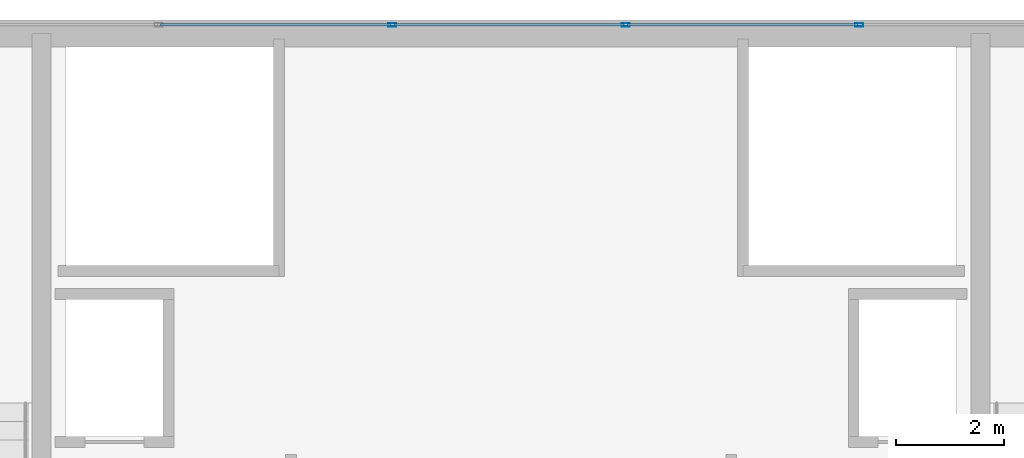
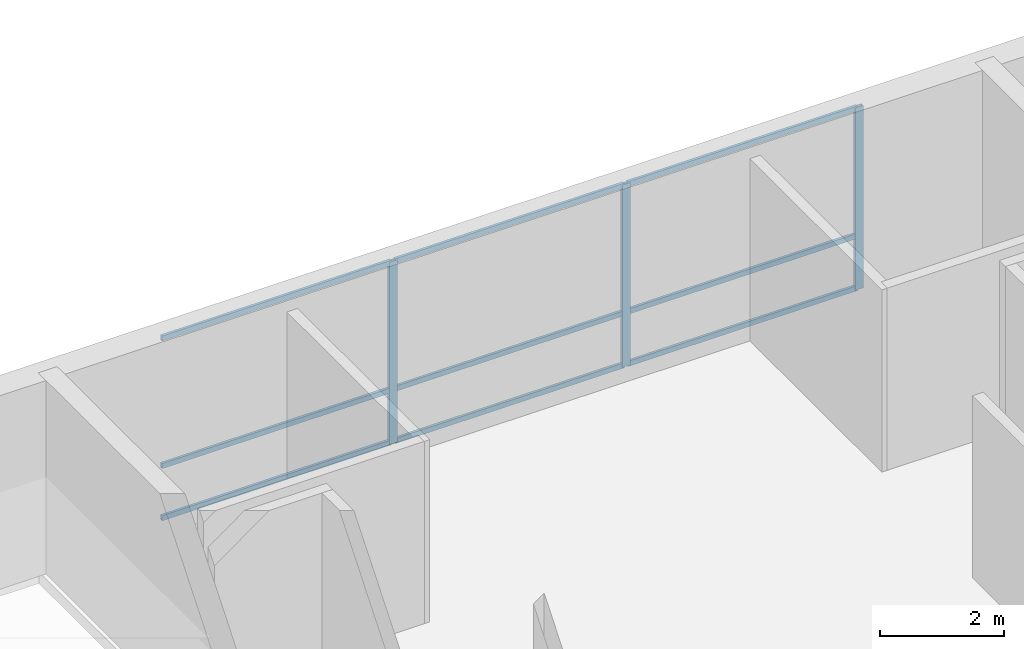
# One storey, part 27 of 36: 12 members, 1 element without a shape of its own.
"""IFC4 building model written with IfcOpenShell, lengths in metres."""

from ifc_helpers import new_model, si_unit, direction, frame, origin, origin_2d, place, context, subcontext, project, spatial, hollow_rectangle, extrude, source, transform, mapped, material, layer, layer_set, material_profile, profile_set, type_object, type_shapes, element, aggregate, save


model = new_model("IFC4")

# Units and contexts
model_context = context("Model", 3, precision=1e-05, world=origin(), true_north=direction((0.0, 1.0)))
body_context = subcontext(model_context, "Body", "Model", "MODEL_VIEW")
ifc_project = project(units=[si_unit("LENGTHUNIT", "METRE"), si_unit("AREAUNIT", "SQUARE_METRE"), si_unit("VOLUMEUNIT", "CUBIC_METRE"), si_unit("PLANEANGLEUNIT", "RADIAN"), si_unit("MASSUNIT", "GRAM", prefix="KILO")], contexts=[model_context])

# Site, building, storey
site_placement = place(None, origin())
site = spatial("IfcSite", under=ifc_project, at=site_placement, CompositionType="ELEMENT")
building_placement = place(site_placement, origin())
building = spatial("IfcBuilding", under=site, at=building_placement, Name="Tolvann Quenvar Hotel", CompositionType="ELEMENT")
storey_placement = place(building_placement, frame((0.0, 0.0, 302.35009765625)))
storey = spatial("IfcBuildingStorey", under=building, at=storey_placement, Name="L80", CompositionType="ELEMENT", Elevation=302.35009765625)

# Curtain wall, members
ifc_material_1 = material(Name="Thermally broken anodised architectural aluminium 6063-T6 and laminated low-E glass", Category="aluminium")
ifc_layer = layer(ifc_material_1, 0.179931640625)
ifc_layer_set = layer_set([ifc_layer], Name="Thermally broken anodised architectural aluminium 6063-T6 and laminated low-E glass")
curtain_wall_type = type_object("IfcCurtainWallType", Name="CW_SYS_LANT_06", PredefinedType="USERDEFINED", material=ifc_layer_set)
curtain_wall_placement = place(storey_placement, origin())
curtain_wall = element("IfcCurtainWall", 1, at=curtain_wall_placement, inside=storey, type_object=curtain_wall_type, Name="Curtain Wall CW-LANT-06 (CWR-L80-E14)", ObjectType="UNITISED CURTAIN WALL", PredefinedType="USERDEFINED")
ifc_material_2 = material(Name="Anodised architectural aluminium 6063-T6 framing", Category="aluminium")
ifc_material_profile_1 = material_profile(ifc_material_2, hollow_rectangle(XDim=0.050048828125, YDim=0.10009765625, WallThickness=0.0029296875, at=origin_2d()), Name="100x50x3RHS")
ifc_profile_set_1 = profile_set([ifc_material_profile_1], Name="Anodised architectural aluminium 6063-T6 framing")
member_type_1 = type_object("IfcMemberType", Name="CW_TRAN_100x50", PredefinedType="USERDEFINED", material=ifc_profile_set_1)
shared_shape_1 = source(origin(), body_context, "Body", "SweptSolid", [
    extrude(hollow_rectangle(XDim=0.050048828125, YDim=0.10009765625, WallThickness=0.0029296875, at=origin_2d()), origin(), (0.0, 0.0, 1.0), 4.2626953125),
])
member_1_placement = place(storey_placement, frame((25.09521484375, 44.110107421875, 0.02490234375), z_axis=(-1.0, 0.0, 0.0), x_axis=(0.0, -1.0, 0.0)))
member_1 = element("IfcMember", 2, at=member_1_placement, type_object=member_type_1, Name="CW-LANT-06 transom 3.1", ObjectType="TRANSOM", PredefinedType="USERDEFINED", context=body_context, shape_type="MappedRepresentation", body=[
    mapped(shared_shape_1, transform((0.0, 0.0, 0.0), x_axis=(1.0, 0.0, 0.0), y_axis=(0.0, 1.0, 0.0), z_axis=(0.0, 0.0, 1.0), scale=1.0)),
])
member_2_placement = place(storey_placement, frame((25.09521484375, 44.110107421875, 1.0498046875), z_axis=(-1.0, 0.0, 0.0), x_axis=(0.0, -1.0, 0.0)))
member_2 = element("IfcMember", 3, at=member_2_placement, type_object=member_type_1, Name="CW-LANT-06 transom 3.2", ObjectType="TRANSOM", PredefinedType="USERDEFINED", context=body_context, shape_type="MappedRepresentation", body=[
    mapped(shared_shape_1, transform((0.0, 0.0, 0.0), x_axis=(1.0, 0.0, 0.0), y_axis=(0.0, 1.0, 0.0), z_axis=(0.0, 0.0, 1.0), scale=1.0)),
])
member_3_placement = place(storey_placement, frame((25.09521484375, 44.110107421875, 3.554931640625), z_axis=(-1.0, 0.0, 0.0), x_axis=(0.0, -1.0, 0.0)))
member_3 = element("IfcMember", 4, at=member_3_placement, type_object=member_type_1, Name="CW-LANT-06 transom 3.3", ObjectType="TRANSOM", PredefinedType="USERDEFINED", context=body_context, shape_type="MappedRepresentation", body=[
    mapped(shared_shape_1, transform((0.0, 0.0, 0.0), x_axis=(1.0, 0.0, 0.0), y_axis=(0.0, 1.0, 0.0), z_axis=(0.0, 0.0, 1.0), scale=1.0)),
])
member_4_placement = place(storey_placement, frame((20.767578125, 44.110107421875, 0.02490234375), z_axis=(-1.0, 0.0, 0.0), x_axis=(0.0, -1.0, 0.0)))
member_4 = element("IfcMember", 5, at=member_4_placement, type_object=member_type_1, Name="CW-LANT-06 transom 4.1", ObjectType="TRANSOM", PredefinedType="USERDEFINED", context=body_context, shape_type="MappedRepresentation", body=[
    mapped(shared_shape_1, transform((0.0, 0.0, 0.0), x_axis=(1.0, 0.0, 0.0), y_axis=(0.0, 1.0, 0.0), z_axis=(0.0, 0.0, 1.0), scale=1.0)),
])
member_5_placement = place(storey_placement, frame((20.767578125, 44.110107421875, 1.0498046875), z_axis=(-1.0, 0.0, 0.0), x_axis=(0.0, -1.0, 0.0)))
member_5 = element("IfcMember", 6, at=member_5_placement, type_object=member_type_1, Name="CW-LANT-06 transom 4.2", ObjectType="TRANSOM", PredefinedType="USERDEFINED", context=body_context, shape_type="MappedRepresentation", body=[
    mapped(shared_shape_1, transform((0.0, 0.0, 0.0), x_axis=(1.0, 0.0, 0.0), y_axis=(0.0, 1.0, 0.0), z_axis=(0.0, 0.0, 1.0), scale=1.0)),
])
member_6_placement = place(storey_placement, frame((20.767578125, 44.110107421875, 3.554931640625), z_axis=(-1.0, 0.0, 0.0), x_axis=(0.0, -1.0, 0.0)))
member_6 = element("IfcMember", 7, at=member_6_placement, type_object=member_type_1, Name="CW-LANT-06 transom 4.3", ObjectType="TRANSOM", PredefinedType="USERDEFINED", context=body_context, shape_type="MappedRepresentation", body=[
    mapped(shared_shape_1, transform((0.0, 0.0, 0.0), x_axis=(1.0, 0.0, 0.0), y_axis=(0.0, 1.0, 0.0), z_axis=(0.0, 0.0, 1.0), scale=1.0)),
])
shared_shape_2 = source(origin(), body_context, "Body", "SweptSolid", [
    extrude(hollow_rectangle(XDim=0.050048828125, YDim=0.10009765625, WallThickness=0.0029296875, at=origin_2d()), origin(), (0.0, 0.0, 1.0), 4.262451171875),
])
type_shapes(member_type_1, [shared_shape_1, shared_shape_2])
member_7_placement = place(storey_placement, frame((29.422607421875, 44.110107421875, 0.02490234375), z_axis=(-1.0, 0.0, 0.0), x_axis=(0.0, -1.0, 0.0)))
member_7 = element("IfcMember", 8, at=member_7_placement, type_object=member_type_1, Name="CW-LANT-06 transom 2.1", ObjectType="TRANSOM", PredefinedType="USERDEFINED", context=body_context, shape_type="MappedRepresentation", body=[
    mapped(shared_shape_2, transform((0.0, 0.0, 0.0), x_axis=(1.0, 0.0, 0.0), y_axis=(0.0, 1.0, 0.0), z_axis=(0.0, 0.0, 1.0), scale=1.0)),
])
member_8_placement = place(storey_placement, frame((29.422607421875, 44.110107421875, 1.0498046875), z_axis=(-1.0, 0.0, 0.0), x_axis=(0.0, -1.0, 0.0)))
member_8 = element("IfcMember", 9, at=member_8_placement, type_object=member_type_1, Name="CW-LANT-06 transom 2.2", ObjectType="TRANSOM", PredefinedType="USERDEFINED", context=body_context, shape_type="MappedRepresentation", body=[
    mapped(shared_shape_2, transform((0.0, 0.0, 0.0), x_axis=(1.0, 0.0, 0.0), y_axis=(0.0, 1.0, 0.0), z_axis=(0.0, 0.0, 1.0), scale=1.0)),
])
member_9_placement = place(storey_placement, frame((29.422607421875, 44.110107421875, 3.554931640625), z_axis=(-1.0, 0.0, 0.0), x_axis=(0.0, -1.0, 0.0)))
member_9 = element("IfcMember", 10, at=member_9_placement, type_object=member_type_1, Name="CW-LANT-06 transom 2.3", ObjectType="TRANSOM", PredefinedType="USERDEFINED", context=body_context, shape_type="MappedRepresentation", body=[
    mapped(shared_shape_2, transform((0.0, 0.0, 0.0), x_axis=(1.0, 0.0, 0.0), y_axis=(0.0, 1.0, 0.0), z_axis=(0.0, 0.0, 1.0), scale=1.0)),
])
ifc_material_profile_2 = material_profile(ifc_material_2, hollow_rectangle(XDim=0.06494140625, YDim=0.14990234375, WallThickness=0.00390625, at=origin_2d()), Name="150x65x4RHS")
ifc_profile_set_2 = profile_set([ifc_material_profile_2], Name="Anodised architectural aluminium 6063-T6 framing")
member_type_2 = type_object("IfcMemberType", Name="CW_MULL_150x65", PredefinedType="MULLION", material=ifc_profile_set_2)
shared_shape_3 = source(origin(), body_context, "Body", "SweptSolid", [
    extrude(hollow_rectangle(XDim=0.06494140625, YDim=0.14990234375, WallThickness=0.00390625, at=origin_2d()), origin(), (0.0, 0.0, 1.0), 3.579833984375),
])
type_shapes(member_type_2, [shared_shape_3])
member_10_placement = place(storey_placement, frame((29.455078125, 44.110107421875, 0.0), z_axis=(0.0, 0.0, 1.0), x_axis=(0.0, -1.0, 0.0)))
member_10 = element("IfcMember", 11, at=member_10_placement, type_object=member_type_2, Name="CW-LANT-06 mullion 2", PredefinedType="MULLION", context=body_context, shape_type="MappedRepresentation", body=[
    mapped(shared_shape_3, transform((0.0, 0.0, 0.0), x_axis=(1.0, 0.0, 0.0), y_axis=(0.0, 1.0, 0.0), z_axis=(0.0, 0.0, 1.0), scale=1.0)),
])
member_11_placement = place(storey_placement, frame((25.127685546875, 44.110107421875, 0.0), z_axis=(0.0, 0.0, 1.0), x_axis=(0.0, -1.0, 0.0)))
member_11 = element("IfcMember", 12, at=member_11_placement, type_object=member_type_2, Name="CW-LANT-06 mullion 3", PredefinedType="MULLION", context=body_context, shape_type="MappedRepresentation", body=[
    mapped(shared_shape_3, transform((0.0, 0.0, 0.0), x_axis=(1.0, 0.0, 0.0), y_axis=(0.0, 1.0, 0.0), z_axis=(0.0, 0.0, 1.0), scale=1.0)),
])
member_12_placement = place(storey_placement, frame((20.800048828125, 44.110107421875, 0.0), z_axis=(0.0, 0.0, 1.0), x_axis=(0.0, -1.0, 0.0)))
member_12 = element("IfcMember", 13, at=member_12_placement, type_object=member_type_2, Name="CW-LANT-06 mullion 4", PredefinedType="MULLION", context=body_context, shape_type="MappedRepresentation", body=[
    mapped(shared_shape_3, transform((0.0, 0.0, 0.0), x_axis=(1.0, 0.0, 0.0), y_axis=(0.0, 1.0, 0.0), z_axis=(0.0, 0.0, 1.0), scale=1.0)),
])
aggregate(curtain_wall, [member_10, member_11, member_12, member_7, member_8, member_9, member_1, member_2, member_3, member_4, member_5, member_6])

save(model, "model.ifc")
